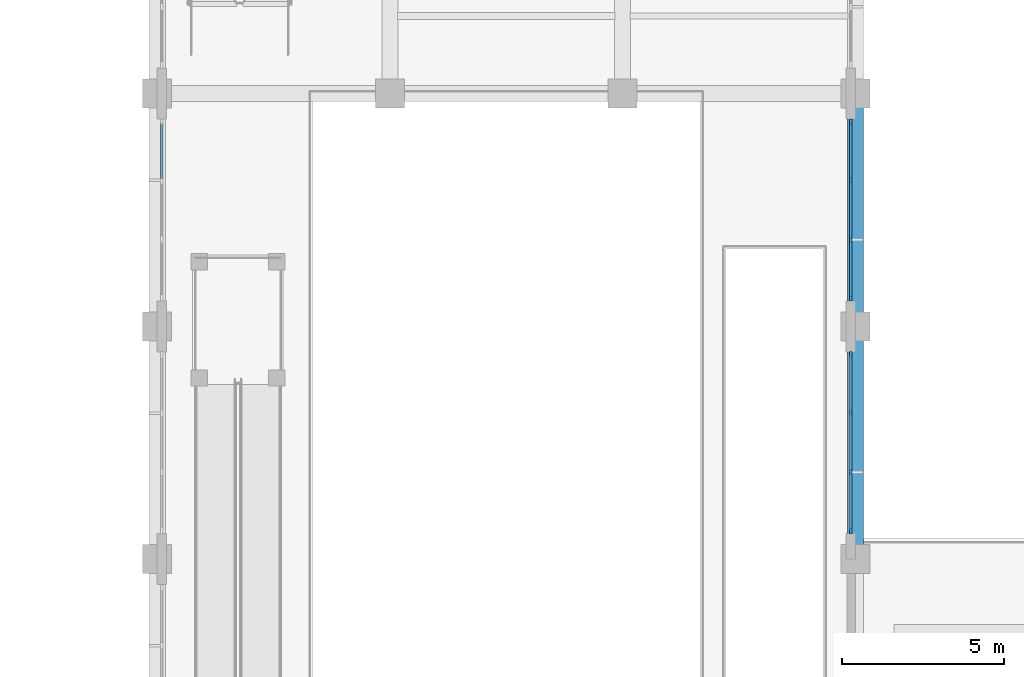
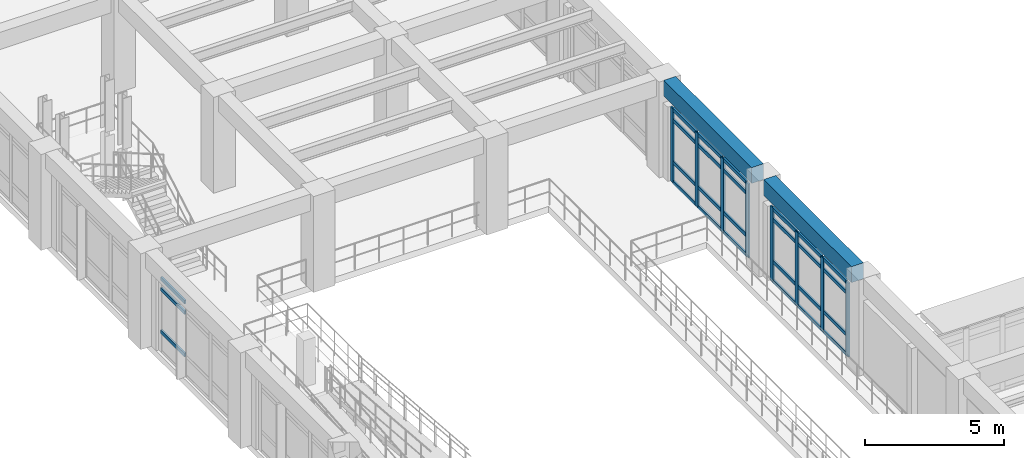
# One storey, part 8 of 69: 35 members, 2 beams, 3 elements without a shape of their own.
"""IFC4 building model written with IfcOpenShell, lengths in metres."""

from ifc_helpers import new_model, si_unit, direction, frame, origin, origin_2d, place, context, subcontext, project, spatial, rectangle, extrude, material, layer, layer_set, material_profile, profile_set, type_object, element, aggregate, save


model = new_model("IFC4")

# Units and contexts
model_context = context("Model", 3, precision=1e-05, world=origin(), true_north=direction((0.0, 1.0)))
body_context = subcontext(model_context, "Body", "Model", "MODEL_VIEW")
ifc_project = project(units=[si_unit("LENGTHUNIT", "METRE"), si_unit("AREAUNIT", "SQUARE_METRE"), si_unit("VOLUMEUNIT", "CUBIC_METRE"), si_unit("PLANEANGLEUNIT", "RADIAN"), si_unit("MASSUNIT", "GRAM", prefix="KILO")], contexts=[model_context])

# Site, building, storey
site_placement = place(None, origin())
site = spatial("IfcSite", under=ifc_project, at=site_placement, CompositionType="ELEMENT")
building_placement = place(site_placement, origin())
building = spatial("IfcBuilding", under=site, at=building_placement, Name="Solenvale Faculty of Natural Sciences", CompositionType="ELEMENT")
storey_placement = place(building_placement, frame((0.0, 0.0, 4.5)))
storey = spatial("IfcBuildingStorey", under=building, at=storey_placement, Name="L01", CompositionType="ELEMENT", Elevation=4.5)

# Beams
ifc_material_1 = material(Name="Concrete 40 MPa", Category="concrete")
ifc_material_profile_1 = material_profile(ifc_material_1, rectangle(XDim=0.5, YDim=0.699951171875, at=origin_2d()), Name="RC-BM-500x700")
ifc_profile_set_1 = profile_set([ifc_material_profile_1], Name="Concrete 40 MPa")
beam_type = type_object("IfcBeamType", Name="BM-RC-500x700", PredefinedType="BEAM", material=ifc_profile_set_1)
beam_1_placement = place(storey_placement, frame((57.60009765625, 50.830078125, 3.8701171875), z_axis=(0.0, 1.0, 0.0), x_axis=(-1.0, 0.0, 0.0)))
element("IfcBeam", 1, at=beam_1_placement, inside=storey, type_object=beam_type, Name="L01 Y-Girder X57.6 (50.4..57.6)", PredefinedType="BEAM", context=body_context, shape_type="SweptSolid", body=[
    extrude(rectangle(XDim=0.5, YDim=0.699951171875, at=origin_2d()), origin(), (0.0, 0.0, 1.0), 6.33984375),
])
beam_2_placement = place(storey_placement, frame((57.60009765625, 58.030029296875, 3.8701171875), z_axis=(0.0, 1.0, 0.0), x_axis=(-1.0, 0.0, 0.0)))
element("IfcBeam", 2, at=beam_2_placement, inside=storey, type_object=beam_type, Name="L01 Y-Girder X57.6 (57.6..64.8)", PredefinedType="BEAM", context=body_context, shape_type="SweptSolid", body=[
    extrude(rectangle(XDim=0.5, YDim=0.699951171875, at=origin_2d()), origin(), (0.0, 0.0, 1.0), 6.340087890625),
])

# Curtain wall, members
ifc_material_2 = material(Name="Anodised bronze aluminium", Category="aluminium")
ifc_layer = layer(ifc_material_2, 0.215087890625)
ifc_layer_set = layer_set([ifc_layer], Name="Anodised bronze aluminium")
curtain_wall_type = type_object("IfcCurtainWallType", Name="CW-ATR-UNIT", PredefinedType="USERDEFINED", material=ifc_layer_set)
curtain_wall_1_placement = place(storey_placement, origin())
curtain_wall_1 = element("IfcCurtainWall", 3, at=curtain_wall_1_placement, inside=storey, type_object=curtain_wall_type, Name="L01 Curtain Wall CW-L01-P1-E12-B2", ObjectType="UNITISED CURTAIN WALL", PredefinedType="USERDEFINED")
ifc_material_profile_2 = material_profile(ifc_material_2, rectangle(XDim=0.074951171875, YDim=0.2099609375, at=origin_2d()), Name="ALU-MUL-75x210")
ifc_profile_set_2 = profile_set([ifc_material_profile_2], Name="Anodised bronze aluminium")
member_type_1 = type_object("IfcMemberType", Name="CWM-ALU-75x210", PredefinedType="MULLION", material=ifc_profile_set_2)
member_1_placement = place(storey_placement, frame((57.45751953125, 51.28759765625, 0.0), z_axis=(0.0, 0.0, 1.0), x_axis=(-1.0, 0.0, 0.0)))
member_1 = element("IfcMember", 4, at=member_1_placement, type_object=member_type_1, Name="CW-01 mullion 1", PredefinedType="MULLION", context=body_context, shape_type="SweptSolid", body=[
    extrude(rectangle(XDim=0.074951171875, YDim=0.2099609375, at=origin_2d()), origin(), (0.0, 0.0, 1.0), 3.260009765625),
])
member_2_placement = place(storey_placement, frame((57.45751953125, 53.083251953125, 0.0), z_axis=(0.0, 0.0, 1.0), x_axis=(-1.0, 0.0, 0.0)))
member_2 = element("IfcMember", 5, at=member_2_placement, type_object=member_type_1, Name="CW-01 mullion 2", PredefinedType="MULLION", context=body_context, shape_type="SweptSolid", body=[
    extrude(rectangle(XDim=0.074951171875, YDim=0.2099609375, at=origin_2d()), origin(), (0.0, 0.0, 1.0), 3.260009765625),
])
member_3_placement = place(storey_placement, frame((57.45751953125, 54.916748046875, 0.0), z_axis=(0.0, 0.0, 1.0), x_axis=(-1.0, 0.0, 0.0)))
member_3 = element("IfcMember", 6, at=member_3_placement, type_object=member_type_1, Name="CW-01 mullion 3", PredefinedType="MULLION", context=body_context, shape_type="SweptSolid", body=[
    extrude(rectangle(XDim=0.074951171875, YDim=0.2099609375, at=origin_2d()), origin(), (0.0, 0.0, 1.0), 3.260009765625),
])
member_4_placement = place(storey_placement, frame((57.45751953125, 56.71240234375, 0.0), z_axis=(0.0, 0.0, 1.0), x_axis=(-1.0, 0.0, 0.0)))
member_4 = element("IfcMember", 7, at=member_4_placement, type_object=member_type_1, Name="CW-01 mullion 4", PredefinedType="MULLION", context=body_context, shape_type="SweptSolid", body=[
    extrude(rectangle(XDim=0.074951171875, YDim=0.2099609375, at=origin_2d()), origin(), (0.0, 0.0, 1.0), 3.260009765625),
])

curtain_wall_2_placement = place(storey_placement, origin())
curtain_wall_2 = element("IfcCurtainWall", 8, at=curtain_wall_2_placement, inside=storey, type_object=curtain_wall_type, Name="L01 Curtain Wall CW-L01-P1-E12-B3", ObjectType="UNITISED CURTAIN WALL", PredefinedType="USERDEFINED")
member_5_placement = place(storey_placement, frame((57.45751953125, 58.487548828125, 0.0), z_axis=(0.0, 0.0, 1.0), x_axis=(-1.0, 0.0, 0.0)))
member_5 = element("IfcMember", 9, at=member_5_placement, type_object=member_type_1, Name="CW-01 mullion 1", PredefinedType="MULLION", context=body_context, shape_type="SweptSolid", body=[
    extrude(rectangle(XDim=0.074951171875, YDim=0.2099609375, at=origin_2d()), origin(), (0.0, 0.0, 1.0), 3.260009765625),
])
member_6_placement = place(storey_placement, frame((57.45751953125, 60.283447265625, 0.0), z_axis=(0.0, 0.0, 1.0), x_axis=(-1.0, 0.0, 0.0)))
member_6 = element("IfcMember", 10, at=member_6_placement, type_object=member_type_1, Name="CW-01 mullion 2", PredefinedType="MULLION", context=body_context, shape_type="SweptSolid", body=[
    extrude(rectangle(XDim=0.074951171875, YDim=0.2099609375, at=origin_2d()), origin(), (0.0, 0.0, 1.0), 3.260009765625),
])
member_7_placement = place(storey_placement, frame((57.45751953125, 62.11669921875, 0.0), z_axis=(0.0, 0.0, 1.0), x_axis=(-1.0, 0.0, 0.0)))
member_7 = element("IfcMember", 11, at=member_7_placement, type_object=member_type_1, Name="CW-01 mullion 3", PredefinedType="MULLION", context=body_context, shape_type="SweptSolid", body=[
    extrude(rectangle(XDim=0.074951171875, YDim=0.2099609375, at=origin_2d()), origin(), (0.0, 0.0, 1.0), 3.260009765625),
])
member_8_placement = place(storey_placement, frame((57.45751953125, 63.91259765625, 0.0), z_axis=(0.0, 0.0, 1.0), x_axis=(-1.0, 0.0, 0.0)))
member_8 = element("IfcMember", 12, at=member_8_placement, type_object=member_type_1, Name="CW-01 mullion 4", PredefinedType="MULLION", context=body_context, shape_type="SweptSolid", body=[
    extrude(rectangle(XDim=0.074951171875, YDim=0.2099609375, at=origin_2d()), origin(), (0.0, 0.0, 1.0), 3.260009765625),
])

# Member
ifc_material_profile_3 = material_profile(ifc_material_2, rectangle(XDim=0.074951171875, YDim=0.155029296875, at=origin_2d()), Name="ALU-TRN-75x155")
ifc_profile_set_3 = profile_set([ifc_material_profile_3], Name="Anodised bronze aluminium")
member_type_2 = type_object("IfcMemberType", Name="CWT-ALU-75x155", PredefinedType="USERDEFINED", material=ifc_profile_set_3)
member_9_placement = place(storey_placement, frame((57.45751953125, 51.324951171875, 0.03759765625), z_axis=(0.0, 1.0, 0.0), x_axis=(-1.0, 0.0, 0.0)))
member_9 = element("IfcMember", 13, at=member_9_placement, type_object=member_type_2, Name="CW-01 transom 1.1", ObjectType="TRANSOM", PredefinedType="USERDEFINED", context=body_context, shape_type="SweptSolid", body=[
    extrude(rectangle(XDim=0.074951171875, YDim=0.155029296875, at=origin_2d()), origin(), (0.0, 0.0, 1.0), 1.720947265625),
])

member_10_placement = place(storey_placement, frame((57.45751953125, 51.324951171875, 0.89990234375), z_axis=(0.0, 1.0, 0.0), x_axis=(-1.0, 0.0, 0.0)))
member_10 = element("IfcMember", 14, at=member_10_placement, type_object=member_type_2, Name="CW-01 transom 1.2", ObjectType="TRANSOM", PredefinedType="USERDEFINED", context=body_context, shape_type="SweptSolid", body=[
    extrude(rectangle(XDim=0.074951171875, YDim=0.155029296875, at=origin_2d()), origin(), (0.0, 0.0, 1.0), 1.720947265625),
])

member_11_placement = place(storey_placement, frame((57.45751953125, 51.324951171875, 2.760009765625), z_axis=(0.0, 1.0, 0.0), x_axis=(-1.0, 0.0, 0.0)))
member_11 = element("IfcMember", 15, at=member_11_placement, type_object=member_type_2, Name="CW-01 transom 1.3", ObjectType="TRANSOM", PredefinedType="USERDEFINED", context=body_context, shape_type="SweptSolid", body=[
    extrude(rectangle(XDim=0.074951171875, YDim=0.155029296875, at=origin_2d()), origin(), (0.0, 0.0, 1.0), 1.720947265625),
])

member_12_placement = place(storey_placement, frame((57.45751953125, 51.324951171875, 3.222412109375), z_axis=(0.0, 1.0, 0.0), x_axis=(-1.0, 0.0, 0.0)))
member_12 = element("IfcMember", 16, at=member_12_placement, type_object=member_type_2, Name="CW-01 transom 1.4", ObjectType="TRANSOM", PredefinedType="USERDEFINED", context=body_context, shape_type="SweptSolid", body=[
    extrude(rectangle(XDim=0.074951171875, YDim=0.155029296875, at=origin_2d()), origin(), (0.0, 0.0, 1.0), 1.720947265625),
])

member_13_placement = place(storey_placement, frame((57.45751953125, 53.120849609375, 0.03759765625), z_axis=(0.0, 1.0, 0.0), x_axis=(-1.0, 0.0, 0.0)))
member_13 = element("IfcMember", 17, at=member_13_placement, type_object=member_type_2, Name="CW-01 transom 2.1", ObjectType="TRANSOM", PredefinedType="USERDEFINED", context=body_context, shape_type="SweptSolid", body=[
    extrude(rectangle(XDim=0.074951171875, YDim=0.155029296875, at=origin_2d()), origin(), (0.0, 0.0, 1.0), 1.75830078125),
])

member_14_placement = place(storey_placement, frame((57.45751953125, 53.120849609375, 0.89990234375), z_axis=(0.0, 1.0, 0.0), x_axis=(-1.0, 0.0, 0.0)))
member_14 = element("IfcMember", 18, at=member_14_placement, type_object=member_type_2, Name="CW-01 transom 2.2", ObjectType="TRANSOM", PredefinedType="USERDEFINED", context=body_context, shape_type="SweptSolid", body=[
    extrude(rectangle(XDim=0.074951171875, YDim=0.155029296875, at=origin_2d()), origin(), (0.0, 0.0, 1.0), 1.75830078125),
])

member_15_placement = place(storey_placement, frame((57.45751953125, 53.120849609375, 2.760009765625), z_axis=(0.0, 1.0, 0.0), x_axis=(-1.0, 0.0, 0.0)))
member_15 = element("IfcMember", 19, at=member_15_placement, type_object=member_type_2, Name="CW-01 transom 2.3", ObjectType="TRANSOM", PredefinedType="USERDEFINED", context=body_context, shape_type="SweptSolid", body=[
    extrude(rectangle(XDim=0.074951171875, YDim=0.155029296875, at=origin_2d()), origin(), (0.0, 0.0, 1.0), 1.75830078125),
])

member_16_placement = place(storey_placement, frame((57.45751953125, 53.120849609375, 3.222412109375), z_axis=(0.0, 1.0, 0.0), x_axis=(-1.0, 0.0, 0.0)))
member_16 = element("IfcMember", 20, at=member_16_placement, type_object=member_type_2, Name="CW-01 transom 2.4", ObjectType="TRANSOM", PredefinedType="USERDEFINED", context=body_context, shape_type="SweptSolid", body=[
    extrude(rectangle(XDim=0.074951171875, YDim=0.155029296875, at=origin_2d()), origin(), (0.0, 0.0, 1.0), 1.75830078125),
])

member_17_placement = place(storey_placement, frame((57.45751953125, 54.9541015625, 0.03759765625), z_axis=(0.0, 1.0, 0.0), x_axis=(-1.0, 0.0, 0.0)))
member_17 = element("IfcMember", 21, at=member_17_placement, type_object=member_type_2, Name="CW-01 transom 3.1", ObjectType="TRANSOM", PredefinedType="USERDEFINED", context=body_context, shape_type="SweptSolid", body=[
    extrude(rectangle(XDim=0.074951171875, YDim=0.155029296875, at=origin_2d()), origin(), (0.0, 0.0, 1.0), 1.720947265625),
])

member_18_placement = place(storey_placement, frame((57.45751953125, 54.9541015625, 0.89990234375), z_axis=(0.0, 1.0, 0.0), x_axis=(-1.0, 0.0, 0.0)))
member_18 = element("IfcMember", 22, at=member_18_placement, type_object=member_type_2, Name="CW-01 transom 3.2", ObjectType="TRANSOM", PredefinedType="USERDEFINED", context=body_context, shape_type="SweptSolid", body=[
    extrude(rectangle(XDim=0.074951171875, YDim=0.155029296875, at=origin_2d()), origin(), (0.0, 0.0, 1.0), 1.720947265625),
])

member_19_placement = place(storey_placement, frame((57.45751953125, 54.9541015625, 2.760009765625), z_axis=(0.0, 1.0, 0.0), x_axis=(-1.0, 0.0, 0.0)))
member_19 = element("IfcMember", 23, at=member_19_placement, type_object=member_type_2, Name="CW-01 transom 3.3", ObjectType="TRANSOM", PredefinedType="USERDEFINED", context=body_context, shape_type="SweptSolid", body=[
    extrude(rectangle(XDim=0.074951171875, YDim=0.155029296875, at=origin_2d()), origin(), (0.0, 0.0, 1.0), 1.720947265625),
])

member_20_placement = place(storey_placement, frame((57.45751953125, 54.9541015625, 3.222412109375), z_axis=(0.0, 1.0, 0.0), x_axis=(-1.0, 0.0, 0.0)))
member_20 = element("IfcMember", 24, at=member_20_placement, type_object=member_type_2, Name="CW-01 transom 3.4", ObjectType="TRANSOM", PredefinedType="USERDEFINED", context=body_context, shape_type="SweptSolid", body=[
    extrude(rectangle(XDim=0.074951171875, YDim=0.155029296875, at=origin_2d()), origin(), (0.0, 0.0, 1.0), 1.720947265625),
])

aggregate(curtain_wall_1, [member_1, member_2, member_3, member_4, member_9, member_10, member_11, member_12, member_13, member_14, member_15, member_16, member_17, member_18, member_19, member_20])

member_21_placement = place(storey_placement, frame((57.45751953125, 58.52490234375, 0.03759765625), z_axis=(0.0, 1.0, 0.0), x_axis=(-1.0, 0.0, 0.0)))
member_21 = element("IfcMember", 25, at=member_21_placement, type_object=member_type_2, Name="CW-01 transom 1.1", ObjectType="TRANSOM", PredefinedType="USERDEFINED", context=body_context, shape_type="SweptSolid", body=[
    extrude(rectangle(XDim=0.074951171875, YDim=0.155029296875, at=origin_2d()), origin(), (0.0, 0.0, 1.0), 1.720947265625),
])

member_22_placement = place(storey_placement, frame((57.45751953125, 58.52490234375, 0.89990234375), z_axis=(0.0, 1.0, 0.0), x_axis=(-1.0, 0.0, 0.0)))
member_22 = element("IfcMember", 26, at=member_22_placement, type_object=member_type_2, Name="CW-01 transom 1.2", ObjectType="TRANSOM", PredefinedType="USERDEFINED", context=body_context, shape_type="SweptSolid", body=[
    extrude(rectangle(XDim=0.074951171875, YDim=0.155029296875, at=origin_2d()), origin(), (0.0, 0.0, 1.0), 1.720947265625),
])

member_23_placement = place(storey_placement, frame((57.45751953125, 58.52490234375, 2.760009765625), z_axis=(0.0, 1.0, 0.0), x_axis=(-1.0, 0.0, 0.0)))
member_23 = element("IfcMember", 27, at=member_23_placement, type_object=member_type_2, Name="CW-01 transom 1.3", ObjectType="TRANSOM", PredefinedType="USERDEFINED", context=body_context, shape_type="SweptSolid", body=[
    extrude(rectangle(XDim=0.074951171875, YDim=0.155029296875, at=origin_2d()), origin(), (0.0, 0.0, 1.0), 1.720947265625),
])

member_24_placement = place(storey_placement, frame((57.45751953125, 58.52490234375, 3.222412109375), z_axis=(0.0, 1.0, 0.0), x_axis=(-1.0, 0.0, 0.0)))
member_24 = element("IfcMember", 28, at=member_24_placement, type_object=member_type_2, Name="CW-01 transom 1.4", ObjectType="TRANSOM", PredefinedType="USERDEFINED", context=body_context, shape_type="SweptSolid", body=[
    extrude(rectangle(XDim=0.074951171875, YDim=0.155029296875, at=origin_2d()), origin(), (0.0, 0.0, 1.0), 1.720947265625),
])

member_25_placement = place(storey_placement, frame((57.45751953125, 60.32080078125, 0.03759765625), z_axis=(0.0, 1.0, 0.0), x_axis=(-1.0, 0.0, 0.0)))
member_25 = element("IfcMember", 29, at=member_25_placement, type_object=member_type_2, Name="CW-01 transom 2.1", ObjectType="TRANSOM", PredefinedType="USERDEFINED", context=body_context, shape_type="SweptSolid", body=[
    extrude(rectangle(XDim=0.074951171875, YDim=0.155029296875, at=origin_2d()), origin(), (0.0, 0.0, 1.0), 1.75830078125),
])

member_26_placement = place(storey_placement, frame((57.45751953125, 60.32080078125, 0.89990234375), z_axis=(0.0, 1.0, 0.0), x_axis=(-1.0, 0.0, 0.0)))
member_26 = element("IfcMember", 30, at=member_26_placement, type_object=member_type_2, Name="CW-01 transom 2.2", ObjectType="TRANSOM", PredefinedType="USERDEFINED", context=body_context, shape_type="SweptSolid", body=[
    extrude(rectangle(XDim=0.074951171875, YDim=0.155029296875, at=origin_2d()), origin(), (0.0, 0.0, 1.0), 1.75830078125),
])

member_27_placement = place(storey_placement, frame((57.45751953125, 60.32080078125, 2.760009765625), z_axis=(0.0, 1.0, 0.0), x_axis=(-1.0, 0.0, 0.0)))
member_27 = element("IfcMember", 31, at=member_27_placement, type_object=member_type_2, Name="CW-01 transom 2.3", ObjectType="TRANSOM", PredefinedType="USERDEFINED", context=body_context, shape_type="SweptSolid", body=[
    extrude(rectangle(XDim=0.074951171875, YDim=0.155029296875, at=origin_2d()), origin(), (0.0, 0.0, 1.0), 1.75830078125),
])

member_28_placement = place(storey_placement, frame((57.45751953125, 60.32080078125, 3.222412109375), z_axis=(0.0, 1.0, 0.0), x_axis=(-1.0, 0.0, 0.0)))
member_28 = element("IfcMember", 32, at=member_28_placement, type_object=member_type_2, Name="CW-01 transom 2.4", ObjectType="TRANSOM", PredefinedType="USERDEFINED", context=body_context, shape_type="SweptSolid", body=[
    extrude(rectangle(XDim=0.074951171875, YDim=0.155029296875, at=origin_2d()), origin(), (0.0, 0.0, 1.0), 1.75830078125),
])

member_29_placement = place(storey_placement, frame((57.45751953125, 62.154052734375, 0.03759765625), z_axis=(0.0, 1.0, 0.0), x_axis=(-1.0, 0.0, 0.0)))
member_29 = element("IfcMember", 33, at=member_29_placement, type_object=member_type_2, Name="CW-01 transom 3.1", ObjectType="TRANSOM", PredefinedType="USERDEFINED", context=body_context, shape_type="SweptSolid", body=[
    extrude(rectangle(XDim=0.074951171875, YDim=0.155029296875, at=origin_2d()), origin(), (0.0, 0.0, 1.0), 1.720947265625),
])

member_30_placement = place(storey_placement, frame((57.45751953125, 62.154052734375, 0.89990234375), z_axis=(0.0, 1.0, 0.0), x_axis=(-1.0, 0.0, 0.0)))
member_30 = element("IfcMember", 34, at=member_30_placement, type_object=member_type_2, Name="CW-01 transom 3.2", ObjectType="TRANSOM", PredefinedType="USERDEFINED", context=body_context, shape_type="SweptSolid", body=[
    extrude(rectangle(XDim=0.074951171875, YDim=0.155029296875, at=origin_2d()), origin(), (0.0, 0.0, 1.0), 1.720947265625),
])

member_31_placement = place(storey_placement, frame((57.45751953125, 62.154052734375, 2.760009765625), z_axis=(0.0, 1.0, 0.0), x_axis=(-1.0, 0.0, 0.0)))
member_31 = element("IfcMember", 35, at=member_31_placement, type_object=member_type_2, Name="CW-01 transom 3.3", ObjectType="TRANSOM", PredefinedType="USERDEFINED", context=body_context, shape_type="SweptSolid", body=[
    extrude(rectangle(XDim=0.074951171875, YDim=0.155029296875, at=origin_2d()), origin(), (0.0, 0.0, 1.0), 1.720947265625),
])

member_32_placement = place(storey_placement, frame((57.45751953125, 62.154052734375, 3.222412109375), z_axis=(0.0, 1.0, 0.0), x_axis=(-1.0, 0.0, 0.0)))
member_32 = element("IfcMember", 36, at=member_32_placement, type_object=member_type_2, Name="CW-01 transom 3.4", ObjectType="TRANSOM", PredefinedType="USERDEFINED", context=body_context, shape_type="SweptSolid", body=[
    extrude(rectangle(XDim=0.074951171875, YDim=0.155029296875, at=origin_2d()), origin(), (0.0, 0.0, 1.0), 1.720947265625),
])

aggregate(curtain_wall_2, [member_5, member_6, member_7, member_8, member_21, member_22, member_23, member_24, member_25, member_26, member_27, member_28, member_29, member_30, member_31, member_32])

# Curtain wall, members
curtain_wall_3_placement = place(storey_placement, origin())
curtain_wall_3 = element("IfcCurtainWall", 37, at=curtain_wall_3_placement, inside=storey, type_object=curtain_wall_type, Name="L01 Curtain Wall CW-L01-P1-E14-B5", ObjectType="UNITISED CURTAIN WALL", PredefinedType="USERDEFINED")
member_33_placement = place(storey_placement, frame((36.142578125, 63.875, 0.89990234375), z_axis=(0.0, -1.0, 0.0), x_axis=(1.0, 0.0, 0.0)))
member_33 = element("IfcMember", 38, at=member_33_placement, type_object=member_type_2, Name="CW-01 transom 1.2", ObjectType="TRANSOM", PredefinedType="USERDEFINED", context=body_context, shape_type="SweptSolid", body=[
    extrude(rectangle(XDim=0.074951171875, YDim=0.155029296875, at=origin_2d()), origin(), (0.0, 0.0, 1.0), 1.720947265625),
])
member_34_placement = place(storey_placement, frame((36.142578125, 63.875, 2.760009765625), z_axis=(0.0, -1.0, 0.0), x_axis=(1.0, 0.0, 0.0)))
member_34 = element("IfcMember", 39, at=member_34_placement, type_object=member_type_2, Name="CW-01 transom 1.3", ObjectType="TRANSOM", PredefinedType="USERDEFINED", context=body_context, shape_type="SweptSolid", body=[
    extrude(rectangle(XDim=0.074951171875, YDim=0.155029296875, at=origin_2d()), origin(), (0.0, 0.0, 1.0), 1.720947265625),
])
member_35_placement = place(storey_placement, frame((36.142578125, 63.875, 3.222412109375), z_axis=(0.0, -1.0, 0.0), x_axis=(1.0, 0.0, 0.0)))
member_35 = element("IfcMember", 40, at=member_35_placement, type_object=member_type_2, Name="CW-01 transom 1.4", ObjectType="TRANSOM", PredefinedType="USERDEFINED", context=body_context, shape_type="SweptSolid", body=[
    extrude(rectangle(XDim=0.074951171875, YDim=0.155029296875, at=origin_2d()), origin(), (0.0, 0.0, 1.0), 1.720947265625),
])
aggregate(curtain_wall_3, [member_33, member_34, member_35])

save(model, "model.ifc")
